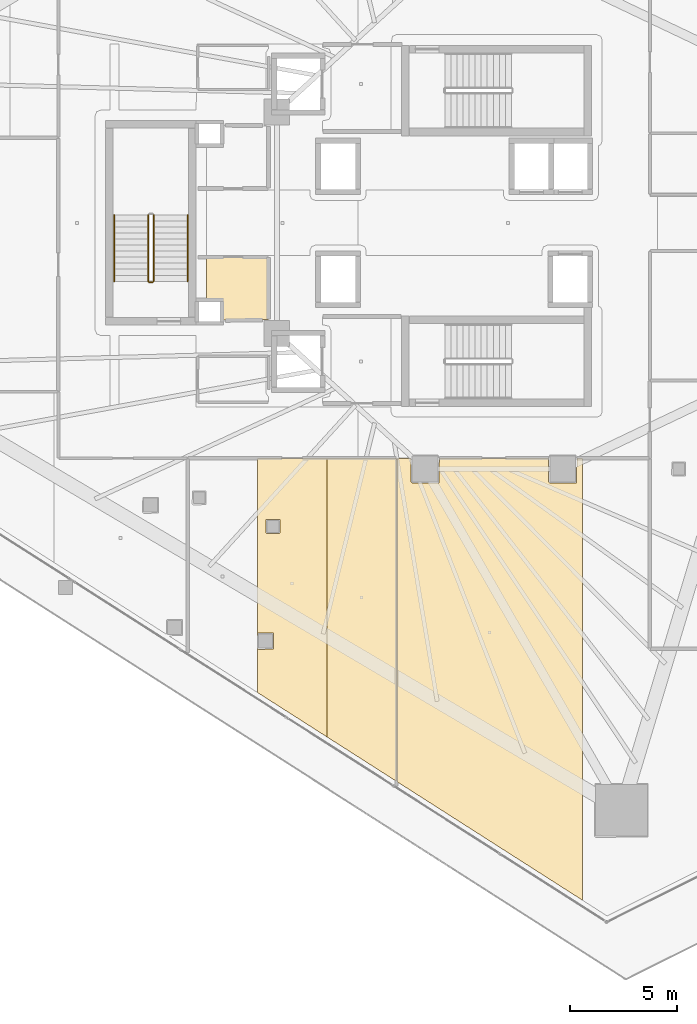
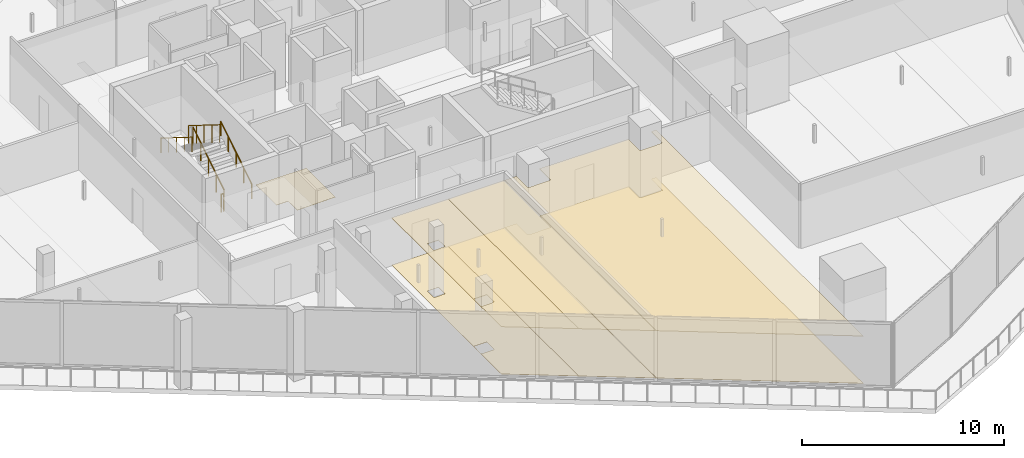
# One storey, part 38 of 45: 7 coverings, 5 railings.
"""IFC4 building model written with IfcOpenShell, lengths in metres."""

from ifc_helpers import new_model, si_unit, direction, frame, origin, origin_2d, place, context, subcontext, project, spatial, polyline, circle, outline, extrude, material, layer, layer_set, type_object, element, save


model = new_model("IFC4")

# Units and contexts
model_context = context("Model", 3, precision=1e-05, world=origin(), true_north=direction((0.0, 1.0)))
body_context = subcontext(model_context, "Body", "Model", "MODEL_VIEW")
ifc_project = project(units=[si_unit("LENGTHUNIT", "METRE"), si_unit("AREAUNIT", "SQUARE_METRE"), si_unit("VOLUMEUNIT", "CUBIC_METRE"), si_unit("PLANEANGLEUNIT", "RADIAN"), si_unit("MASSUNIT", "GRAM", prefix="KILO")], contexts=[model_context])

# Site, building, storey
site_placement = place(None, origin())
site = spatial("IfcSite", under=ifc_project, at=site_placement, CompositionType="ELEMENT")
building_placement = place(site_placement, origin())
building = spatial("IfcBuilding", under=site, at=building_placement, Name="Qorvath Tower", CompositionType="ELEMENT")
storey_placement = place(building_placement, frame((0.0, 0.0, 66.0)))
storey = spatial("IfcBuildingStorey", under=building, at=storey_placement, Name="L14", CompositionType="ELEMENT", Elevation=66.0)

# Coverings
ifc_material_1 = material(Name="Acoustic mineral fibre ceiling tile", Category="gypsum")
ifc_layer_1 = layer(ifc_material_1, 0.030029296875)
ifc_layer_set_1 = layer_set([ifc_layer_1], Name="COV-CEIL")
covering_type_1 = type_object("IfcCoveringType", Name="COV-CEIL", PredefinedType="CEILING", material=ifc_layer_set_1)
covering_1_placement = place(storey_placement, frame((0.0, 0.0, 2.85009765625)))
element("IfcCovering", 1, at=covering_1_placement, inside=storey, type_object=covering_type_1, Name="L14 Suspended Acoustic Ceiling 022", PredefinedType="CEILING", context=body_context, shape_type="SweptSolid", body=[
    extrude(outline(polyline([(-31.40869140625, -10.962890625), (-31.40869140625, -21.84423828125), (-28.172119140625, -23.912841796875), (-28.172119140625, -10.962890625), (-31.40869140625, -10.962890625)]), holes=[polyline([(-31.01220703125, -14.3994140625), (-30.99462890625, -13.806884765625), (-30.35986328125, -13.806884765625), (-30.35986328125, -14.441650390625), (-30.9521484375, -14.459228515625), (-31.01220703125, -14.3994140625)]), polyline([(-31.401123046875, -19.785400390625), (-31.383544921875, -19.093017578125), (-30.648681640625, -19.093017578125), (-30.648681640625, -19.827880859375), (-31.341064453125, -19.845458984375), (-31.401123046875, -19.785400390625)])]), origin(), (0.0, 0.0, 1.0), 0.030029296875),
])
covering_2_placement = place(storey_placement, frame((0.0, 0.0, 2.85009765625)))
element("IfcCovering", 2, at=covering_2_placement, inside=storey, type_object=covering_type_1, Name="L14 Suspended Acoustic Ceiling 023", PredefinedType="CEILING", context=body_context, shape_type="SweptSolid", body=[
    extrude(outline(polyline([(-28.172119140625, -10.962890625), (-28.172119140625, -23.912841796875), (-24.935791015625, -25.981201171875), (-24.935791015625, -10.962890625), (-28.172119140625, -10.962890625)])), origin(), (0.0, 0.0, 1.0), 0.030029296875),
])
covering_3_placement = place(storey_placement, frame((0.0, 0.0, 2.85009765625)))
element("IfcCovering", 3, at=covering_3_placement, inside=storey, type_object=covering_type_1, Name="L14 Suspended Acoustic Ceiling 024", PredefinedType="CEILING", context=body_context, shape_type="SweptSolid", body=[
    extrude(outline(polyline([(-24.917724609375, -25.99267578125), (-16.271484375, -31.518798828125), (-16.271484375, -10.962890625), (-16.5400390625, -10.962890625), (-16.5576171875, -12.092529296875), (-17.800048828125, -12.110107421875), (-17.860107421875, -12.050048828125), (-17.860107421875, -10.962890625), (-22.93994140625, -10.962890625), (-22.95751953125, -12.092529296875), (-24.199951171875, -12.110107421875), (-24.260009765625, -12.050048828125), (-24.260009765625, -10.962890625), (-24.917724609375, -10.962890625), (-24.917724609375, -25.99267578125)])), origin(), (0.0, 0.0, 1.0), 0.030029296875),
])
ifc_material_2 = material(Name="Low-VOC modular carpet tile", Category="textile")
ifc_layer_2 = layer(ifc_material_2, 0.014892578125)
ifc_layer_set_2 = layer_set([ifc_layer_2], Name="COV-FLOOR-CPT")
covering_type_2 = type_object("IfcCoveringType", Name="COV-FLOOR-CPT", PredefinedType="FLOORING", material=ifc_layer_set_2)
covering_4_placement = place(storey_placement, origin())
element("IfcCovering", 4, at=covering_4_placement, inside=storey, type_object=covering_type_2, Name="L14 Floor Finish 006", PredefinedType="FLOORING", context=body_context, shape_type="SweptSolid", body=[
    extrude(outline(polyline([(-30.885009765625, -1.60498046875), (-33.760009765625, -1.60498046875), (-33.760009765625, -3.636962890625), (-33.08837890625, -3.638427734375), (-33.0869140625, -4.534912109375), (-30.885009765625, -4.489990234375), (-30.885009765625, -1.60498046875)])), origin(), (0.0, 0.0, 1.0), 0.014892578125),
])
covering_5_placement = place(storey_placement, origin())
element("IfcCovering", 5, at=covering_5_placement, inside=storey, type_object=covering_type_2, Name="L14 Floor Finish 022", PredefinedType="FLOORING", context=body_context, shape_type="SweptSolid", body=[
    extrude(outline(polyline([(-31.40869140625, -10.962890625), (-31.40869140625, -21.84423828125), (-28.172119140625, -23.912841796875), (-28.172119140625, -10.962890625), (-31.40869140625, -10.962890625)]), holes=[polyline([(-31.01220703125, -14.3994140625), (-30.99462890625, -13.806884765625), (-30.35986328125, -13.806884765625), (-30.35986328125, -14.441650390625), (-30.9521484375, -14.459228515625), (-31.01220703125, -14.3994140625)]), polyline([(-31.401123046875, -19.785400390625), (-31.383544921875, -19.093017578125), (-30.648681640625, -19.093017578125), (-30.648681640625, -19.827880859375), (-31.341064453125, -19.845458984375), (-31.401123046875, -19.785400390625)])]), origin(), (0.0, 0.0, 1.0), 0.014892578125),
])
covering_6_placement = place(storey_placement, origin())
element("IfcCovering", 6, at=covering_6_placement, inside=storey, type_object=covering_type_2, Name="L14 Floor Finish 023", PredefinedType="FLOORING", context=body_context, shape_type="SweptSolid", body=[
    extrude(outline(polyline([(-28.172119140625, -10.962890625), (-28.172119140625, -23.912841796875), (-24.935791015625, -25.981201171875), (-24.935791015625, -10.962890625), (-28.172119140625, -10.962890625)])), origin(), (0.0, 0.0, 1.0), 0.014892578125),
])
covering_7_placement = place(storey_placement, origin())
element("IfcCovering", 7, at=covering_7_placement, inside=storey, type_object=covering_type_2, Name="L14 Floor Finish 024", PredefinedType="FLOORING", context=body_context, shape_type="SweptSolid", body=[
    extrude(outline(polyline([(-24.917724609375, -25.99267578125), (-16.271484375, -31.518798828125), (-16.271484375, -10.962890625), (-16.5400390625, -10.962890625), (-16.5576171875, -12.092529296875), (-17.800048828125, -12.110107421875), (-17.860107421875, -12.050048828125), (-17.860107421875, -10.962890625), (-22.93994140625, -10.962890625), (-22.95751953125, -12.092529296875), (-24.199951171875, -12.110107421875), (-24.260009765625, -12.050048828125), (-24.260009765625, -10.962890625), (-24.917724609375, -10.962890625), (-24.917724609375, -25.99267578125)])), origin(), (0.0, 0.0, 1.0), 0.014892578125),
])

# Railings
ifc_material_3 = material(Name="Painted galvanised steel", Category="steel")
railing_type_1 = type_object("IfcRailingType", Name="RL-STR-GRD", PredefinedType="GUARDRAIL", material=ifc_material_3)
railing_1_placement = place(storey_placement, frame((-36.22998046875, -2.719970703125, 0.175048828125)))
element("IfcRailing", 8, at=railing_1_placement, inside=storey, type_object=railing_type_1, Name="L14 TS3 stair guard 1", PredefinedType="GUARDRAIL", context=body_context, shape_type="SweptSolid", body=[
    extrude(circle(Radius=0.02392578125, at=origin_2d()), frame((0.0, 0.0, 1.076171875), z_axis=(0.0, 0.847998304005, 0.529998940003), x_axis=(-1.0, 0.0, 0.0)), (0.0, 0.0, 1.0), 3.632080078125),
    extrude(circle(Radius=0.02099609375, at=origin_2d()), origin(), (0.0, 0.0, 1.0), 1.052001953125),
    extrude(circle(Radius=0.02099609375, at=origin_2d()), frame((0.0, 0.77001953125, 0.481201171875)), (0.0, 0.0, 1.0), 1.052001953125),
    extrude(circle(Radius=0.02099609375, at=origin_2d()), frame((0.0, 1.5400390625, 0.96240234375)), (0.0, 0.0, 1.0), 1.052001953125),
    extrude(circle(Radius=0.02099609375, at=origin_2d()), frame((0.0, 2.31005859375, 1.44384765625)), (0.0, 0.0, 1.0), 1.052001953125),
    extrude(circle(Radius=0.02099609375, at=origin_2d()), frame((0.0, 3.080078125, 1.925048828125)), (0.0, 0.0, 1.0), 1.052001953125),
])
railing_2_placement = place(storey_placement, frame((-36.47998046875, 0.360107421875, 2.27490234375)))
element("IfcRailing", 9, at=railing_2_placement, inside=storey, type_object=railing_type_1, Name="L14 TS3 stair guard 3", PredefinedType="GUARDRAIL", context=body_context, shape_type="SweptSolid", body=[
    extrude(circle(Radius=0.02392578125, at=origin_2d()), frame((0.0, 0.0, 1.076171875), z_axis=(0.0, -0.847998304005, 0.529998940003), x_axis=(1.0, 0.0, 0.0)), (0.0, 0.0, 1.0), 3.632080078125),
    extrude(circle(Radius=0.02099609375, at=origin_2d()), origin(), (0.0, 0.0, 1.0), 1.052001953125),
    extrude(circle(Radius=0.02099609375, at=origin_2d()), frame((0.0, -0.77001953125, 0.481201171875)), (0.0, 0.0, 1.0), 1.052001953125),
    extrude(circle(Radius=0.02099609375, at=origin_2d()), frame((0.0, -1.5400390625, 0.96240234375)), (0.0, 0.0, 1.0), 1.052001953125),
    extrude(circle(Radius=0.02099609375, at=origin_2d()), frame((0.0, -2.31005859375, 1.44384765625)), (0.0, 0.0, 1.0), 1.052001953125),
    extrude(circle(Radius=0.02099609375, at=origin_2d()), frame((0.0, -3.080078125, 1.925048828125)), (0.0, 0.0, 1.0), 1.052001953125),
])
railing_3_placement = place(storey_placement, frame((-36.280029296875, -2.77001953125, 0.0)))
element("IfcRailing", 10, at=railing_3_placement, inside=storey, type_object=railing_type_1, Name="L14 TS3 stair guard 4", PredefinedType="GUARDRAIL", context=body_context, shape_type="SweptSolid", body=[
    extrude(circle(Radius=0.02392578125, at=origin_2d()), frame((0.0, 0.0, 1.076171875), z_axis=(-1.0, 0.0, 0.0), x_axis=(0.0, -1.0, 0.0)), (0.0, 0.0, 1.0), 0.14990234375),
    extrude(circle(Radius=0.02099609375, at=origin_2d()), origin(), (0.0, 0.0, 1.0), 1.052001953125),
    extrude(circle(Radius=0.02099609375, at=origin_2d()), frame((-0.14990234375, 0.0, 0.0)), (0.0, 0.0, 1.0), 1.052001953125),
])
ifc_material_4 = material(Name="Brushed stainless steel AISI 304", Category="steel")
railing_type_2 = type_object("IfcRailingType", Name="RL-STR-HND", PredefinedType="HANDRAIL", material=ifc_material_4)
railing_4_placement = place(storey_placement, frame((-34.64990234375, -2.719970703125, 0.175048828125)))
element("IfcRailing", 11, at=railing_4_placement, inside=storey, type_object=railing_type_2, Name="L14 TS3 stair handrail 1", PredefinedType="HANDRAIL", context=body_context, shape_type="SweptSolid", body=[
    extrude(circle(Radius=0.02392578125, at=origin_2d()), frame((0.0, 0.0, 0.8759765625), z_axis=(0.0, 0.847998304005, 0.529998940003), x_axis=(-1.0, 0.0, 0.0)), (0.0, 0.0, 1.0), 3.632080078125),
    extrude(circle(Radius=0.02099609375, at=origin_2d()), origin(), (0.0, 0.0, 1.0), 0.851806640625),
    extrude(circle(Radius=0.02099609375, at=origin_2d()), frame((0.0, 0.77001953125, 0.481201171875)), (0.0, 0.0, 1.0), 0.851806640625),
    extrude(circle(Radius=0.02099609375, at=origin_2d()), frame((0.0, 1.5400390625, 0.96240234375)), (0.0, 0.0, 1.0), 0.851806640625),
    extrude(circle(Radius=0.02099609375, at=origin_2d()), frame((0.0, 2.31005859375, 1.44384765625)), (0.0, 0.0, 1.0), 0.851806640625),
    extrude(circle(Radius=0.02099609375, at=origin_2d()), frame((0.0, 3.080078125, 1.925048828125)), (0.0, 0.0, 1.0), 0.851806640625),
])
railing_5_placement = place(storey_placement, frame((-38.06005859375, 0.360107421875, 2.27490234375)))
element("IfcRailing", 12, at=railing_5_placement, inside=storey, type_object=railing_type_2, Name="L14 TS3 stair handrail 2", PredefinedType="HANDRAIL", context=body_context, shape_type="SweptSolid", body=[
    extrude(circle(Radius=0.02392578125, at=origin_2d()), frame((0.0, 0.0, 0.8759765625), z_axis=(0.0, -0.847998304005, 0.529998940003), x_axis=(1.0, 0.0, 0.0)), (0.0, 0.0, 1.0), 3.632080078125),
    extrude(circle(Radius=0.02099609375, at=origin_2d()), origin(), (0.0, 0.0, 1.0), 0.851806640625),
    extrude(circle(Radius=0.02099609375, at=origin_2d()), frame((0.0, -0.77001953125, 0.481201171875)), (0.0, 0.0, 1.0), 0.851806640625),
    extrude(circle(Radius=0.02099609375, at=origin_2d()), frame((0.0, -1.5400390625, 0.96240234375)), (0.0, 0.0, 1.0), 0.851806640625),
    extrude(circle(Radius=0.02099609375, at=origin_2d()), frame((0.0, -2.31005859375, 1.44384765625)), (0.0, 0.0, 1.0), 0.851806640625),
    extrude(circle(Radius=0.02099609375, at=origin_2d()), frame((0.0, -3.080078125, 1.925048828125)), (0.0, 0.0, 1.0), 0.851806640625),
])

save(model, "model.ifc")
